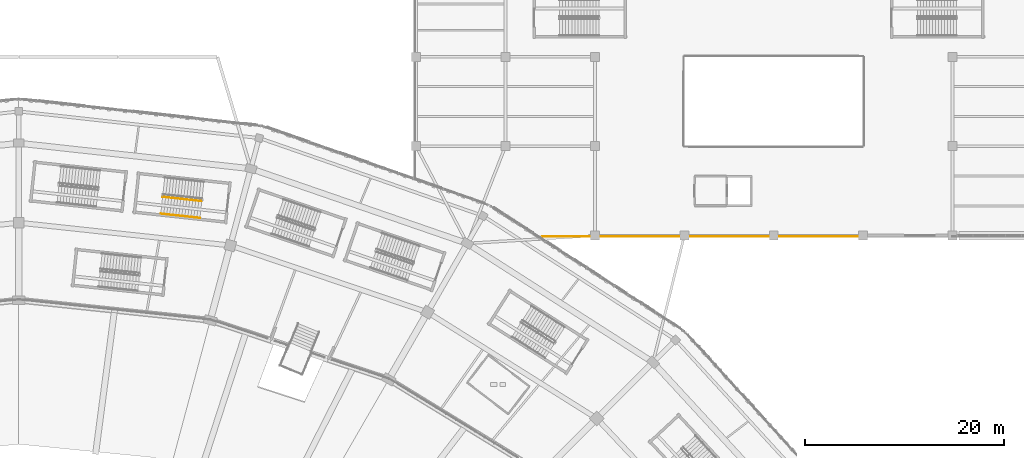
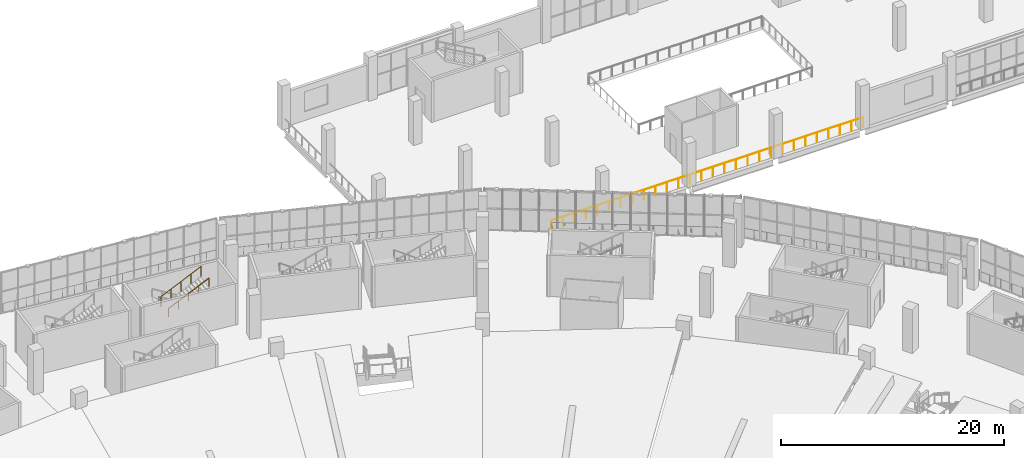
# One storey, part 177 of 183: 3 railings.
"""IFC4 building model written with IfcOpenShell, lengths in metres."""

from ifc_helpers import new_model, si_unit, direction, frame, origin, origin_2d, place, context, subcontext, project, spatial, circle, extrude, material, type_object, element, save


model = new_model("IFC4")

# Units and contexts
model_context = context("Model", 3, precision=1e-05, world=origin(), true_north=direction((0.0, 1.0)))
body_context = subcontext(model_context, "Body", "Model", "MODEL_VIEW")
ifc_project = project(units=[si_unit("LENGTHUNIT", "METRE"), si_unit("AREAUNIT", "SQUARE_METRE"), si_unit("VOLUMEUNIT", "CUBIC_METRE"), si_unit("PLANEANGLEUNIT", "RADIAN"), si_unit("MASSUNIT", "GRAM", prefix="KILO")], contexts=[model_context])

# Site, building, storey
site_placement = place(None, origin())
site = spatial("IfcSite", under=ifc_project, at=site_placement, CompositionType="ELEMENT")
building_placement = place(site_placement, origin())
building = spatial("IfcBuilding", under=site, at=building_placement, Name="Zevraka Park Crest Stadium", CompositionType="ELEMENT")
storey_placement = place(building_placement, frame((0.0, 0.0, 5.39990234375)))
storey = spatial("IfcBuildingStorey", under=building, at=storey_placement, Name="L01", CompositionType="ELEMENT", Elevation=5.39990234375)

# Railings
ifc_material_1 = material(Name="Galvanised and bronze-finished steel balustrade", Category="steel")
railing_type_1 = type_object("IfcRailingType", Name="GR01", PredefinedType="GUARDRAIL", material=ifc_material_1)
railing_1_placement = place(storey_placement, frame((197.009033203125, 157.89501953125, 0.0)))
element("IfcRailing", 1, at=railing_1_placement, inside=storey, type_object=railing_type_1, Name="Deck Edge Protection Guardrail GR01 L01-17", PredefinedType="GUARDRAIL", context=body_context, shape_type="SweptSolid", body=[
    extrude(circle(Radius=0.02392578125, at=origin_2d()), frame((0.0, 0.0, 1.076171875), z_axis=(-1.0, 0.0, 0.0), x_axis=(0.0, -1.0, 0.0)), (0.0, 0.0, 1.0), 32.321044921875),
    extrude(circle(Radius=0.02099609375, at=origin_2d()), origin(), (0.0, 0.0, 1.0), 1.052001953125),
    extrude(circle(Radius=0.02099609375, at=origin_2d()), frame((-1.197021484375, 0.0, 0.0)), (0.0, 0.0, 1.0), 1.052001953125),
    extrude(circle(Radius=0.02099609375, at=origin_2d()), frame((-2.39404296875, 0.0, 0.0)), (0.0, 0.0, 1.0), 1.052001953125),
    extrude(circle(Radius=0.02099609375, at=origin_2d()), frame((-3.59130859375, 0.0, 0.0)), (0.0, 0.0, 1.0), 1.052001953125),
    extrude(circle(Radius=0.02099609375, at=origin_2d()), frame((-4.788330078125, 0.0, 0.0)), (0.0, 0.0, 1.0), 1.052001953125),
    extrude(circle(Radius=0.02099609375, at=origin_2d()), frame((-5.9853515625, 0.0, 0.0)), (0.0, 0.0, 1.0), 1.052001953125),
    extrude(circle(Radius=0.02099609375, at=origin_2d()), frame((-7.182373046875, 0.0, 0.0)), (0.0, 0.0, 1.0), 1.052001953125),
    extrude(circle(Radius=0.02099609375, at=origin_2d()), frame((-8.379638671875, 0.0, 0.0)), (0.0, 0.0, 1.0), 1.052001953125),
    extrude(circle(Radius=0.02099609375, at=origin_2d()), frame((-9.57666015625, 0.0, 0.0)), (0.0, 0.0, 1.0), 1.052001953125),
    extrude(circle(Radius=0.02099609375, at=origin_2d()), frame((-10.773681640625, 0.0, 0.0)), (0.0, 0.0, 1.0), 1.052001953125),
    extrude(circle(Radius=0.02099609375, at=origin_2d()), frame((-11.970703125, 0.0, 0.0)), (0.0, 0.0, 1.0), 1.052001953125),
    extrude(circle(Radius=0.02099609375, at=origin_2d()), frame((-13.167724609375, 0.0, 0.0)), (0.0, 0.0, 1.0), 1.052001953125),
    extrude(circle(Radius=0.02099609375, at=origin_2d()), frame((-14.364990234375, 0.0, 0.0)), (0.0, 0.0, 1.0), 1.052001953125),
    extrude(circle(Radius=0.02099609375, at=origin_2d()), frame((-15.56201171875, 0.0, 0.0)), (0.0, 0.0, 1.0), 1.052001953125),
    extrude(circle(Radius=0.02099609375, at=origin_2d()), frame((-16.759033203125, 0.0, 0.0)), (0.0, 0.0, 1.0), 1.052001953125),
    extrude(circle(Radius=0.02099609375, at=origin_2d()), frame((-17.9560546875, 0.0, 0.0)), (0.0, 0.0, 1.0), 1.052001953125),
    extrude(circle(Radius=0.02099609375, at=origin_2d()), frame((-19.1533203125, 0.0, 0.0)), (0.0, 0.0, 1.0), 1.052001953125),
    extrude(circle(Radius=0.02099609375, at=origin_2d()), frame((-20.350341796875, 0.0, 0.0)), (0.0, 0.0, 1.0), 1.052001953125),
    extrude(circle(Radius=0.02099609375, at=origin_2d()), frame((-21.54736328125, 0.0, 0.0)), (0.0, 0.0, 1.0), 1.052001953125),
    extrude(circle(Radius=0.02099609375, at=origin_2d()), frame((-22.744384765625, 0.0, 0.0)), (0.0, 0.0, 1.0), 1.052001953125),
    extrude(circle(Radius=0.02099609375, at=origin_2d()), frame((-23.94140625, 0.0, 0.0)), (0.0, 0.0, 1.0), 1.052001953125),
    extrude(circle(Radius=0.02099609375, at=origin_2d()), frame((-25.138671875, 0.0, 0.0)), (0.0, 0.0, 1.0), 1.052001953125),
    extrude(circle(Radius=0.02099609375, at=origin_2d()), frame((-26.335693359375, 0.0, 0.0)), (0.0, 0.0, 1.0), 1.052001953125),
    extrude(circle(Radius=0.02099609375, at=origin_2d()), frame((-27.53271484375, 0.0, 0.0)), (0.0, 0.0, 1.0), 1.052001953125),
    extrude(circle(Radius=0.02099609375, at=origin_2d()), frame((-28.729736328125, 0.0, 0.0)), (0.0, 0.0, 1.0), 1.052001953125),
    extrude(circle(Radius=0.02099609375, at=origin_2d()), frame((-29.927001953125, 0.0, 0.0)), (0.0, 0.0, 1.0), 1.052001953125),
    extrude(circle(Radius=0.02099609375, at=origin_2d()), frame((-31.1240234375, 0.0, 0.0)), (0.0, 0.0, 1.0), 1.052001953125),
    extrude(circle(Radius=0.02099609375, at=origin_2d()), frame((-32.321044921875, 0.0, 0.0)), (0.0, 0.0, 1.0), 1.052001953125),
])
ifc_material_2 = material(Name="Powder-coated tubular steel stairwell guard", Category="steel")
railing_type_2 = type_object("IfcRailingType", Name="GR03", PredefinedType="GUARDRAIL", material=ifc_material_2)
railing_2_placement = place(storey_placement, frame((126.4833984375, 161.892333984375, 2.571533203125)))
element("IfcRailing", 2, at=railing_2_placement, inside=storey, type_object=railing_type_2, Name="L01 ST06 stair guard 3", PredefinedType="GUARDRAIL", context=body_context, shape_type="SweptSolid", body=[
    extrude(circle(Radius=0.02392578125, at=origin_2d()), frame((0.0, 0.0, 1.076171875), z_axis=(0.866623529368, -0.094311399263, 0.489968385015), x_axis=(0.10818750693, 0.994130506193, 0.0)), (0.0, 0.0, 1.0), 4.54833984375),
    extrude(circle(Radius=0.02099609375, at=origin_2d()), origin(), (0.0, 0.0, 1.0), 1.052001953125),
    extrude(circle(Radius=0.02099609375, at=origin_2d()), frame((0.9853515625, -0.107177734375, 0.55712890625)), (0.0, 0.0, 1.0), 1.052001953125),
    extrude(circle(Radius=0.02099609375, at=origin_2d()), frame((1.970703125, -0.21435546875, 1.1142578125)), (0.0, 0.0, 1.0), 1.052001953125),
    extrude(circle(Radius=0.02099609375, at=origin_2d()), frame((2.956298828125, -0.32177734375, 1.67138671875)), (0.0, 0.0, 1.0), 1.052001953125),
    extrude(circle(Radius=0.02099609375, at=origin_2d()), frame((3.941650390625, -0.428955078125, 2.228515625)), (0.0, 0.0, 1.0), 1.052001953125),
])
ifc_material_3 = material(Name="Brushed stainless steel continuous handrail", Category="steel")
railing_type_3 = type_object("IfcRailingType", Name="HR01", PredefinedType="HANDRAIL", material=ifc_material_3)
railing_3_placement = place(storey_placement, frame((126.299560546875, 160.202392578125, 2.571533203125)))
element("IfcRailing", 3, at=railing_3_placement, inside=storey, type_object=railing_type_3, Name="L01 ST06 stair handrail 2", PredefinedType="HANDRAIL", context=body_context, shape_type="SweptSolid", body=[
    extrude(circle(Radius=0.02392578125, at=origin_2d()), frame((0.0, 0.0, 0.8759765625), z_axis=(0.866623529368, -0.094311399263, 0.489968385015), x_axis=(0.10818750693, 0.994130506193, 0.0)), (0.0, 0.0, 1.0), 4.54833984375),
    extrude(circle(Radius=0.02099609375, at=origin_2d()), origin(), (0.0, 0.0, 1.0), 0.851806640625),
    extrude(circle(Radius=0.02099609375, at=origin_2d()), frame((0.9853515625, -0.107177734375, 0.55712890625)), (0.0, 0.0, 1.0), 0.851806640625),
    extrude(circle(Radius=0.02099609375, at=origin_2d()), frame((1.970703125, -0.21435546875, 1.1142578125)), (0.0, 0.0, 1.0), 0.851806640625),
    extrude(circle(Radius=0.02099609375, at=origin_2d()), frame((2.956298828125, -0.32177734375, 1.67138671875)), (0.0, 0.0, 1.0), 0.851806640625),
    extrude(circle(Radius=0.02099609375, at=origin_2d()), frame((3.941650390625, -0.428955078125, 2.228515625)), (0.0, 0.0, 1.0), 0.851806640625),
])

save(model, "model.ifc")
